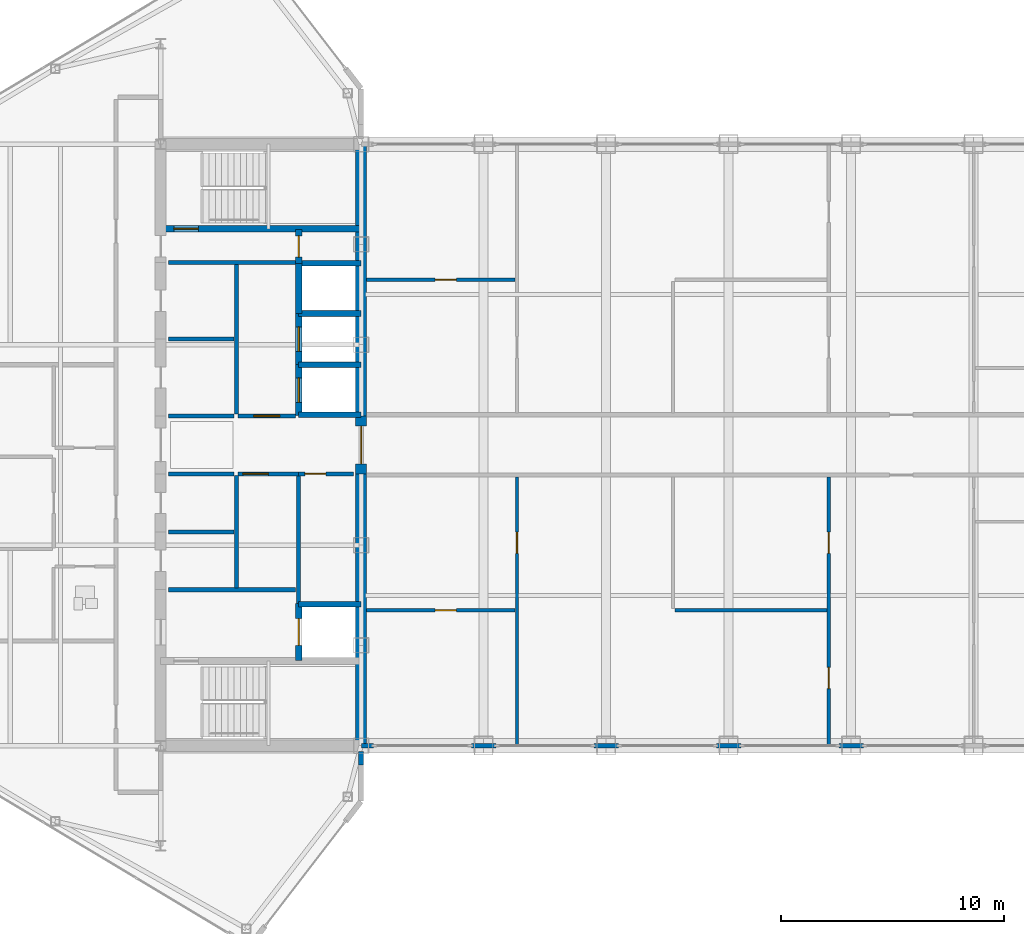
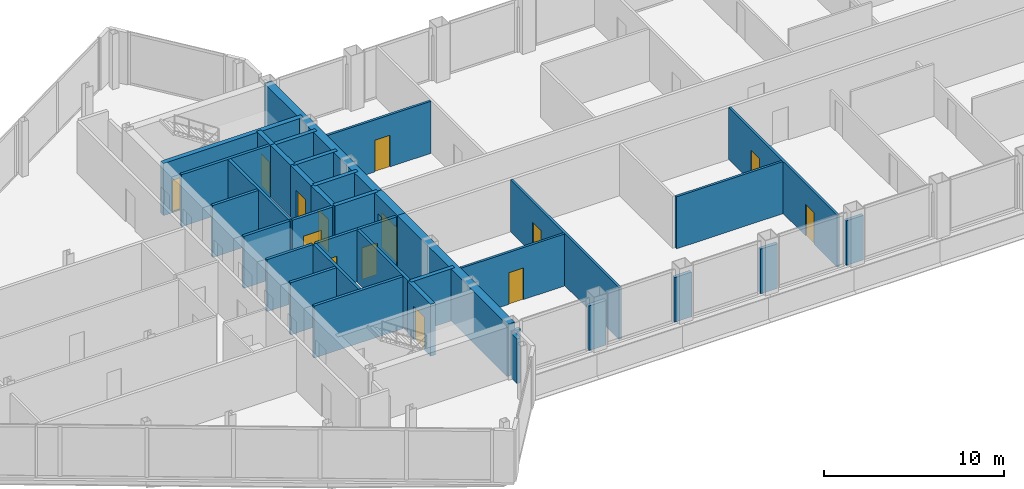
# One storey, part 22 of 29: 37 walls, 14 doors, 14 openings.
"""IFC4 building model written with IfcOpenShell, lengths in metres."""

import ifcopenshell
import ifcopenshell.guid

model = None  # the IFC model being written
_history = None  # IfcOwnerHistory: only IFC2X3 demands one
_inside = {}  # id of a spatial element -> (the spatial element, [elements in it])
_under = {}  # id of a project, library or spatial element -> (it, [spatial elements below it])
_declared = {}  # id of a project -> (the project, [libraries it declares])
_typed = {}  # id of a type object -> (the type object, [elements of that type])
_made_of = {}  # id of a material, layer set ... -> (it, [elements and type objects made of it])


def new_model(schema):
    """Start an empty IFC model of exactly this schema.

    Asked for "IFC4X3", IfcOpenShell would pick the latest addendum, in which some entities
    have other attributes; the version numbers below select the first issue.
    IFC2X3 requires an IfcOwnerHistory on every rooted entity: one is made here for all.
    """
    global model, _history
    if schema == "IFC4X3":
        model = ifcopenshell.file(schema_version=(4, 3, 0, 0))
    else:
        model = ifcopenshell.file(schema=schema)
    _inside.clear()
    _under.clear()
    _declared.clear()
    _typed.clear()
    _made_of.clear()
    _history = None
    if model.schema == "IFC2X3":
        org = make("IfcOrganization", Name="unknown")
        user = make(
            "IfcPersonAndOrganization",
            ThePerson=make("IfcPerson", FamilyName="unknown"),
            TheOrganization=org,
        )
        app = make(
            "IfcApplication",
            ApplicationDeveloper=org,
            Version="unknown",
            ApplicationFullName="unknown",
            ApplicationIdentifier="unknown",
        )
        _history = make(
            "IfcOwnerHistory",
            OwningUser=user,
            OwningApplication=app,
            ChangeAction="ADDED",
            CreationDate=0,
        )
    return model


def make(cls, **values):
    """One entity of the class cls with the attributes given. An attribute that is None is left unset."""
    return model.create_entity(
        cls, **{name: value for name, value in values.items() if value is not None}
    )


def rooted(cls, **values):
    """An entity with a GlobalId (a new one), such as an element, a storey or a relation."""
    return make(cls, GlobalId=ifcopenshell.guid.new(), OwnerHistory=_history, **values)


def si_unit(unit_type, name, prefix=None):
    """IfcSIUnit, for example si_unit("LENGTHUNIT", "METRE", prefix="MILLI")."""
    return make("IfcSIUnit", UnitType=unit_type, Prefix=prefix, Name=name)


def assignment(units):
    """IfcUnitAssignment: the units of a project."""
    return None if units is None else make("IfcUnitAssignment", Units=units)


def point(xyz):
    """IfcCartesianPoint."""
    return None if xyz is None else make("IfcCartesianPoint", Coordinates=xyz)


def direction(xyz):
    """IfcDirection."""
    return None if xyz is None else make("IfcDirection", DirectionRatios=xyz)


def frame(location, z_axis=None, x_axis=None):
    """IfcAxis2Placement3D, a coordinate frame: its origin and axes. An axis left out is left unset."""
    return make(
        "IfcAxis2Placement3D",
        Location=point(location),
        Axis=direction(z_axis),
        RefDirection=direction(x_axis),
    )


def frame_2d(location, x_axis=None):
    """IfcAxis2Placement2D, a coordinate frame in the plane: its origin and x axis."""
    return make(
        "IfcAxis2Placement2D", Location=point(location), RefDirection=direction(x_axis)
    )


def origin():
    """The frame at (0, 0, 0) with its axes left unset."""
    return frame((0.0, 0.0, 0.0))


def place(relative_to, where):
    """IfcLocalPlacement: puts the frame where relative to a parent placement (None: the world)."""
    return make(
        "IfcLocalPlacement", PlacementRelTo=relative_to, RelativePlacement=where
    )


def context(
    kind, dimensions, precision=None, world=None, true_north=None, identifier=None
):
    """IfcGeometricRepresentationContext, for example the 3D "Model" context."""
    return make(
        "IfcGeometricRepresentationContext",
        ContextIdentifier=identifier,
        ContextType=kind,
        CoordinateSpaceDimension=dimensions,
        Precision=precision,
        WorldCoordinateSystem=world,
        TrueNorth=true_north,
    )


def subcontext(parent, identifier, kind, view, scale=None):
    """IfcGeometricRepresentationSubContext, for example "Body" below "Model"."""
    return make(
        "IfcGeometricRepresentationSubContext",
        ContextIdentifier=identifier,
        ContextType=kind,
        ParentContext=parent,
        TargetScale=scale,
        TargetView=view,
    )


def project(units=None, contexts=None):
    """IfcProject with its units and contexts."""
    return rooted(
        "IfcProject",
        Name="project",
        RepresentationContexts=contexts,
        UnitsInContext=assignment(units),
    )


def spatial(cls, under=None, at=None, **own):
    """A site, building, storey or space (cls), placed at a placement, below another one or the project."""
    s = rooted(cls, ObjectPlacement=at, **own)
    if under is not None:
        _under.setdefault(under.id(), (under, []))[1].append(s)
    return s


def profile(cls, at=None, kind="AREA", **sizes):
    """A parametric profile (cls). Its sizes go by their IFC names, for example OverallWidth=200.0."""
    return make(cls, ProfileType=kind, Position=at, **sizes)


def rectangle(**sizes):
    """IfcRectangleProfileDef."""
    return profile("IfcRectangleProfileDef", **sizes)


def extrude(swept, where, along, depth):
    """IfcExtrudedAreaSolid: the profile swept, set in the frame where, extruded along a direction by depth."""
    return make(
        "IfcExtrudedAreaSolid",
        SweptArea=swept,
        Position=where,
        ExtrudedDirection=direction(along),
        Depth=depth,
    )


def shape(context_of_items, identifier, shape_type, items):
    """IfcShapeRepresentation: the items that make up one representation, for example the "Body"."""
    return make(
        "IfcShapeRepresentation",
        ContextOfItems=context_of_items,
        RepresentationIdentifier=identifier,
        RepresentationType=shape_type,
        Items=items,
    )


def source(mapping_origin, context_of_items, identifier, shape_type, items):
    """IfcRepresentationMap: a shape defined once, which mapped items show again and again."""
    return make(
        "IfcRepresentationMap",
        MappingOrigin=mapping_origin,
        MappedRepresentation=shape(context_of_items, identifier, shape_type, items),
    )


def transform(
    local_origin,
    x_axis=None,
    y_axis=None,
    z_axis=None,
    scale=None,
    scale2=None,
    scale3=None,
    uniform=True,
):
    """IfcCartesianTransformationOperator3D, or its non-uniform kind. x_axis, y_axis, z_axis: its Axis1, 2, 3."""
    if uniform:
        return make(
            "IfcCartesianTransformationOperator3D",
            Axis1=direction(x_axis),
            Axis2=direction(y_axis),
            LocalOrigin=point(local_origin),
            Scale=scale,
            Axis3=direction(z_axis),
        )
    return make(
        "IfcCartesianTransformationOperator3DnonUniform",
        Axis1=direction(x_axis),
        Axis2=direction(y_axis),
        LocalOrigin=point(local_origin),
        Scale=scale,
        Axis3=direction(z_axis),
        Scale2=scale2,
        Scale3=scale3,
    )


def mapped(mapping_source, mapping_target):
    """IfcMappedItem: shows the shape of a source again, moved by a transform."""
    return make(
        "IfcMappedItem", MappingSource=mapping_source, MappingTarget=mapping_target
    )


def material(Name=None, Category=None):
    """IfcMaterial."""
    return make("IfcMaterial", Name=Name, Category=Category)


def layer(
    of_material, thickness, ventilated=None, Name=None, Category=None, Priority=None
):
    """IfcMaterialLayer: one layer of a wall or slab, of a material (None: an air gap)."""
    return make(
        "IfcMaterialLayer",
        Material=of_material,
        LayerThickness=thickness,
        IsVentilated=ventilated,
        Name=Name,
        Category=Category,
        Priority=Priority,
    )


def layer_set(layers, Name=None):
    """IfcMaterialLayerSet."""
    return make("IfcMaterialLayerSet", MaterialLayers=layers, LayerSetName=Name)


def made_of(thing, what):
    """Note that an element or type object is made of a material, layer set ...; save() writes the relation."""
    if what is not None:
        _made_of.setdefault(what.id(), (what, []))[1].append(thing)
    return thing


def type_object(cls, material=None, **own):
    """A type object (cls), such as IfcWallType, which elements share."""
    return made_of(rooted(cls, **own), material)


def type_shapes(of_type, sources):
    """Give a type object the sources (RepresentationMaps) that its elements show as mapped items."""
    of_type.RepresentationMaps = sources


def element(
    cls,
    number,
    at=None,
    inside=None,
    cuts=None,
    type_object=None,
    material=None,
    context=None,
    identifier="Body",
    shape_type=None,
    held_by="IfcProductDefinitionShape",
    body=None,
    shapes=None,
    **own,
):
    """One element of the class cls, such as IfcWall. Its Tag is "e" and its number.

    at: its placement. inside: the storey or other place that contains it. cuts: it is an
    opening in that element (IfcRelVoidsElement). A single representation is given by context,
    identifier, shape_type and body (its items); several are given by shapes. held_by: the class
    of the entity that holds the representations. save() writes the other relations.
    """
    e = rooted(cls, Tag="e%d" % number, ObjectPlacement=at, **own)
    if body is not None:
        shapes = [shape(context, identifier, shape_type, body)]
    if shapes is not None:
        e.Representation = make(held_by, Representations=shapes)
    if inside is not None:
        _inside.setdefault(inside.id(), (inside, []))[1].append(e)
    if cuts is not None:
        rooted(
            "IfcRelVoidsElement", RelatingBuildingElement=cuts, RelatedOpeningElement=e
        )
    if type_object is not None:
        _typed.setdefault(type_object.id(), (type_object, []))[1].append(e)
    return made_of(e, material)


def fill(opening, filler):
    """IfcRelFillsElement: the door or window that sits in an opening."""
    return rooted(
        "IfcRelFillsElement",
        RelatingOpeningElement=opening,
        RelatedBuildingElement=filler,
    )


def aggregate(whole, parts):
    """IfcRelAggregates: a whole, such as a stair, and the parts it consists of."""
    return rooted("IfcRelAggregates", RelatingObject=whole, RelatedObjects=parts)


def save(model, path):
    """Write the relations noted so far, then the file.

    IfcRelAggregates (storeys below a building ...), IfcRelContainedInSpatialStructure (elements
    in a storey), IfcRelDefinesByType, IfcRelAssociatesMaterial and IfcRelDeclares: one each for
    every whole, place, type object, material and project.
    """
    for whole, parts in _under.values():
        aggregate(whole, parts)
    for where, things in _inside.values():
        rooted(
            "IfcRelContainedInSpatialStructure",
            RelatedElements=things,
            RelatingStructure=where,
        )
    for kind, things in _typed.values():
        rooted("IfcRelDefinesByType", RelatedObjects=things, RelatingType=kind)
    for what, things in _made_of.values():
        rooted("IfcRelAssociatesMaterial", RelatedObjects=things, RelatingMaterial=what)
    for by, libraries in _declared.values():
        rooted("IfcRelDeclares", RelatingContext=by, RelatedDefinitions=libraries)
    model.write(path)


model = new_model("IFC4")

# Units and contexts
model_context = context("Model", 3, precision=1e-05, world=origin(), true_north=direction((0.0, 1.0)))
body_context = subcontext(model_context, "Body", "Model", "MODEL_VIEW")
ifc_project = project(units=[si_unit("LENGTHUNIT", "METRE"), si_unit("AREAUNIT", "SQUARE_METRE"), si_unit("VOLUMEUNIT", "CUBIC_METRE"), si_unit("PLANEANGLEUNIT", "RADIAN"), si_unit("MASSUNIT", "GRAM", prefix="KILO")], contexts=[model_context])

# Site, building, storey
site_placement = place(None, origin())
site = spatial("IfcSite", under=ifc_project, at=site_placement, CompositionType="ELEMENT")
building_placement = place(site_placement, origin())
building = spatial("IfcBuilding", under=site, at=building_placement, Name="Seokmaru Belvedere", CompositionType="ELEMENT")
storey_placement = place(building_placement, frame((0.0, 0.0, 239.39990234375)))
storey = spatial("IfcBuildingStorey", under=building, at=storey_placement, Name="L63", CompositionType="ELEMENT", Elevation=239.39990234375)

# Wall, opening, door
ifc_material_1 = material(Name="Fire-Rated Gypsum Shaftwall")
ifc_layer_1 = layer(ifc_material_1, 0.14990234375)
ifc_layer_set_1 = layer_set([ifc_layer_1], Name="Fire-Rated Gypsum Shaftwall")
wall_type_1 = type_object("IfcWallType", Name="Apartment Fire-Acoustic Room Partition 150", PredefinedType="PARTITIONING", material=ifc_layer_set_1)
wall_1_placement = place(storey_placement, frame((-27.2451171875, -7.419921875, 0.0), z_axis=(0.0, 0.0, 1.0), x_axis=(1.0, 0.0, 0.0)))
wall_1 = element("IfcWall", 1, at=wall_1_placement, inside=storey, type_object=wall_type_1, Name="L63 Interior Partition 004", PredefinedType="PARTITIONING", context=body_context, shape_type="SweptSolid", body=[
    extrude(rectangle(XDim=6.66015625, YDim=0.14990234375, at=frame_2d((3.330078125, 0.0))), origin(), (0.0, 0.0, 1.0), 3.530029296875),
])
opening_1_placement = place(wall_1_placement, frame((3.070068359375, 0.0, 0.0)))
opening_1 = element("IfcOpeningElement", 2, at=opening_1_placement, cuts=wall_1, Name="Opening D05", PredefinedType="OPENING", context=body_context, shape_type="SweptSolid", body=[
    extrude(rectangle(XDim=0.949951171875, YDim=2.14990234375, at=frame_2d((0.47509765625, 1.074951171875))), frame((0.0, 0.0849609375, 0.0), z_axis=(0.0, -1.0, 0.0), x_axis=(1.0, 0.0, 0.0)), (0.0, 0.0, 1.0), 0.169921875),
])
ifc_material_2 = material(Name="Engineered White Oak Timber", Category="wood")
door_type_1 = type_object("IfcDoorType", Name="Apartment Interior Fire-Rated Oak Door 950x2150", OperationType="NOTDEFINED", PredefinedType="DOOR", material=ifc_material_2)
shared_shape_1 = source(origin(), body_context, "Body", "SweptSolid", [
    extrude(rectangle(XDim=0.949951171875, YDim=2.14990234375, at=frame_2d((0.47509765625, 1.074951171875))), frame((0.0, 0.02490234375, 0.0), z_axis=(0.0, -1.0, 0.0), x_axis=(1.0, 0.0, 0.0)), (0.0, 0.0, 1.0), 0.050048828125),
])
type_shapes(door_type_1, [shared_shape_1])
door_1_placement = place(opening_1_placement, origin())
door_1 = element("IfcDoor", 3, at=door_1_placement, inside=storey, type_object=door_type_1, Name="L63 Interior Door 029", OperationType="SINGLE_SWING_RIGHT", OverallHeight=2.14990234375, OverallWidth=0.949951171875, PredefinedType="DOOR", context=body_context, shape_type="MappedRepresentation", body=[
    mapped(shared_shape_1, transform((0.0, 0.0, 0.0), scale=1.0)),
])
fill(opening_1, door_1)

# Wall
wall_2_placement = place(storey_placement, frame((-13.4150390625, -7.419921875, 0.0), z_axis=(0.0, 0.0, 1.0), x_axis=(1.0, 0.0, 0.0)))
element("IfcWall", 4, at=wall_2_placement, inside=storey, type_object=wall_type_1, Name="L63 Interior Partition 005", PredefinedType="PARTITIONING", context=body_context, shape_type="SweptSolid", body=[
    extrude(rectangle(XDim=6.830078125, YDim=0.14990234375, at=frame_2d((3.4150390625, 0.0))), origin(), (0.0, 0.0, 1.0), 3.530029296875),
])

# Wall, opening, door
wall_3_placement = place(storey_placement, frame((-27.2451171875, 7.419921875, 0.0), z_axis=(0.0, 0.0, 1.0), x_axis=(1.0, 0.0, 0.0)))
wall_3 = element("IfcWall", 5, at=wall_3_placement, inside=storey, type_object=wall_type_1, Name="L63 Interior Partition 022", PredefinedType="PARTITIONING", context=body_context, shape_type="SweptSolid", body=[
    extrude(rectangle(XDim=6.66015625, YDim=0.14990234375, at=frame_2d((3.330078125, 0.0))), origin(), (0.0, 0.0, 1.0), 3.530029296875),
])
opening_2_placement = place(wall_3_placement, frame((3.070068359375, 0.0, 0.0)))
opening_2 = element("IfcOpeningElement", 6, at=opening_2_placement, cuts=wall_3, Name="Opening D05", PredefinedType="OPENING", context=body_context, shape_type="SweptSolid", body=[
    extrude(rectangle(XDim=0.949951171875, YDim=2.14990234375, at=frame_2d((0.47509765625, 1.074951171875))), frame((0.0, 0.0849609375, 0.0), z_axis=(0.0, -1.0, 0.0), x_axis=(1.0, 0.0, 0.0)), (0.0, 0.0, 1.0), 0.169921875),
])
door_2_placement = place(opening_2_placement, origin())
door_2 = element("IfcDoor", 7, at=door_2_placement, inside=storey, type_object=door_type_1, Name="L63 Interior Door 040", OperationType="SINGLE_SWING_RIGHT", OverallHeight=2.14990234375, OverallWidth=0.949951171875, PredefinedType="DOOR", context=body_context, shape_type="MappedRepresentation", body=[
    mapped(shared_shape_1, transform((0.0, 0.0, 0.0), scale=1.0)),
])
fill(opening_2, door_2)

wall_4_placement = place(storey_placement, frame((-20.5, -13.5, 0.0), z_axis=(0.0, 0.0, 1.0), x_axis=(0.0, 1.0, 0.0)))
wall_4 = element("IfcWall", 8, at=wall_4_placement, inside=storey, type_object=wall_type_1, Name="L63 Interior Partition 034", PredefinedType="PARTITIONING", context=body_context, shape_type="SweptSolid", body=[
    extrude(rectangle(XDim=12.06494140625, YDim=0.14990234375, at=frame_2d((6.032470703125, 0.0))), origin(), (0.0, 0.0, 1.0), 3.530029296875),
])
opening_3_placement = place(wall_4_placement, frame((8.637451171875, 0.0, 0.0)))
opening_3 = element("IfcOpeningElement", 9, at=opening_3_placement, cuts=wall_4, Name="Opening D05", PredefinedType="OPENING", context=body_context, shape_type="SweptSolid", body=[
    extrude(rectangle(XDim=0.949951171875, YDim=2.14990234375, at=frame_2d((0.47509765625, 1.074951171875))), frame((0.0, 0.0849609375, 0.0), z_axis=(0.0, -1.0, 0.0), x_axis=(1.0, 0.0, 0.0)), (0.0, 0.0, 1.0), 0.169921875),
])
door_3_placement = place(opening_3_placement, origin())
door_3 = element("IfcDoor", 10, at=door_3_placement, inside=storey, type_object=door_type_1, Name="L63 Interior Door 028", OperationType="SINGLE_SWING_LEFT", OverallHeight=2.14990234375, OverallWidth=0.949951171875, PredefinedType="DOOR", context=body_context, shape_type="MappedRepresentation", body=[
    mapped(shared_shape_1, transform((0.0, 0.0, 0.0), scale=1.0)),
])
fill(opening_3, door_3)

# Wall, openings, doors
wall_5_placement = place(storey_placement, frame((-6.5, -13.5, 0.0), z_axis=(0.0, 0.0, 1.0), x_axis=(0.0, 1.0, 0.0)))
wall_5 = element("IfcWall", 11, at=wall_5_placement, inside=storey, type_object=wall_type_1, Name="L63 Interior Partition 038", PredefinedType="PARTITIONING", context=body_context, shape_type="SweptSolid", body=[
    extrude(rectangle(XDim=12.06494140625, YDim=0.14990234375, at=frame_2d((6.032470703125, 0.0))), origin(), (0.0, 0.0, 1.0), 3.530029296875),
])
opening_4_placement = place(wall_5_placement, frame((8.637451171875, 0.0, 0.0)))
opening_4 = element("IfcOpeningElement", 12, at=opening_4_placement, cuts=wall_5, Name="Opening D05", PredefinedType="OPENING", context=body_context, shape_type="SweptSolid", body=[
    extrude(rectangle(XDim=0.949951171875, YDim=2.14990234375, at=frame_2d((0.47509765625, 1.074951171875))), frame((0.0, 0.0849609375, 0.0), z_axis=(0.0, -1.0, 0.0), x_axis=(1.0, 0.0, 0.0)), (0.0, 0.0, 1.0), 0.169921875),
])
opening_5_placement = place(wall_5_placement, frame((2.5625, 0.0, 0.0)))
opening_5 = element("IfcOpeningElement", 13, at=opening_5_placement, cuts=wall_5, Name="Opening D05", PredefinedType="OPENING", context=body_context, shape_type="SweptSolid", body=[
    extrude(rectangle(XDim=0.949951171875, YDim=2.14990234375, at=frame_2d((0.47509765625, 1.074951171875))), frame((0.0, 0.0849609375, 0.0), z_axis=(0.0, -1.0, 0.0), x_axis=(1.0, 0.0, 0.0)), (0.0, 0.0, 1.0), 0.169921875),
])
door_4_placement = place(opening_4_placement, origin())
door_4 = element("IfcDoor", 14, at=door_4_placement, inside=storey, type_object=door_type_1, Name="L63 Interior Door 026", OperationType="SINGLE_SWING_LEFT", OverallHeight=2.14990234375, OverallWidth=0.949951171875, PredefinedType="DOOR", context=body_context, shape_type="MappedRepresentation", body=[
    mapped(shared_shape_1, transform((0.0, 0.0, 0.0), scale=1.0)),
])
fill(opening_4, door_4)
door_5_placement = place(opening_5_placement, origin())
door_5 = element("IfcDoor", 15, at=door_5_placement, inside=storey, type_object=door_type_1, Name="L63 Interior Door 027", OperationType="SINGLE_SWING_RIGHT", OverallHeight=2.14990234375, OverallWidth=0.949951171875, PredefinedType="DOOR", context=body_context, shape_type="MappedRepresentation", body=[
    mapped(shared_shape_1, transform((0.0, 0.0, 0.0), scale=1.0)),
])
fill(opening_5, door_5)

# Walls
ifc_material_3 = material(Name="Anodised Bronze Aluminium", Category="aluminium")
ifc_layer_2 = layer(ifc_material_3, 0.2099609375)
ifc_layer_set_2 = layer_set([ifc_layer_2], Name="Anodised Bronze Aluminium")
wall_type_2 = type_object("IfcWallType", Name="Bridge Column Spandrel Closure Pier 210", PredefinedType="SOLIDWALL", material=ifc_layer_set_2)
wall_6_placement = place(storey_placement, frame((-27.489990234375, -13.5, 0.0), z_axis=(0.0, 0.0, 1.0), x_axis=(1.0, 0.0, 0.0)))
element("IfcWall", 16, at=wall_6_placement, inside=storey, type_object=wall_type_2, Name="L63 Bridge South Column Closure Pier 01", PredefinedType="SOLIDWALL", context=body_context, shape_type="SweptSolid", body=[
    extrude(rectangle(XDim=0.5400390625, YDim=0.2099609375, at=frame_2d((0.27001953125, 0.0))), origin(), (0.0, 0.0, 1.0), 3.030029296875),
])
for number, where, z_axis, x_axis, name in (
    (17, (-22.550048828125, -13.5, 0.0), (0.0, 0.0, 1.0), (1.0, 0.0, 0.0), "L63 Bridge South Column Closure Pier 02"),
    (18, (-17.050048828125, -13.5, 0.0), (0.0, 0.0, 1.0), (1.0, 0.0, 0.0), "L63 Bridge South Column Closure Pier 03"),
    (19, (-11.550048828125, -13.5, 0.0), (0.0, 0.0, 1.0), (1.0, 0.0, 0.0), "L63 Bridge South Column Closure Pier 04"),
    (20, (-6.050048828125, -13.5, 0.0), (0.0, 0.0, 1.0), (1.0, 0.0, 0.0), "L63 Bridge South Column Closure Pier 05"),
):
    element("IfcWall", number, at=place(storey_placement, frame(where, z_axis=z_axis, x_axis=x_axis)), inside=storey, type_object=wall_type_2, Name=name, PredefinedType="SOLIDWALL", context=body_context, shape_type="SweptSolid", body=[
        extrude(rectangle(XDim=1.10009765625, YDim=0.2099609375, at=frame_2d((0.550048828125, 0.0))), origin(), (0.0, 0.0, 1.0), 3.030029296875),
    ])
ifc_layer_3 = layer(ifc_material_1, 0.179931640625)
ifc_layer_set_3 = layer_set([ifc_layer_3], Name="Fire-Rated Gypsum Shaftwall")
wall_type_3 = type_object("IfcWallType", Name="Core Service Fire Partition 180", PredefinedType="PARTITIONING", material=ifc_layer_set_3)
for number, where, z_axis, x_axis, name in (
    (21, (-36.14990234375, -6.5, 0.0), (0.0, 0.0, 1.0), (1.0, 0.0, 0.0), "L63 West Firefighting Lobby Partition"),
    (22, (-36.14990234375, 8.199951171875, 0.0), (0.0, 0.0, 1.0), (1.0, 0.0, 0.0), "L63 West Smokeproof Vestibule Partition"),
):
    element("IfcWall", number, at=place(storey_placement, frame(where, z_axis=z_axis, x_axis=x_axis)), inside=storey, type_object=wall_type_3, Name=name, PredefinedType="PARTITIONING", context=body_context, shape_type="SweptSolid", body=[
        extrude(rectangle(XDim=5.699951171875, YDim=0.179931640625, at=frame_2d((2.85009765625, 0.0))), origin(), (0.0, 0.0, 1.0), 3.530029296875),
    ])
wall_7_placement = place(storey_placement, frame((-33.10009765625, -6.419921875, 0.0), z_axis=(0.0, 0.0, 1.0), x_axis=(0.0, 1.0, 0.0)))
element("IfcWall", 23, at=wall_7_placement, inside=storey, type_object=wall_type_3, Name="L63 West South Core Service Back Wall", PredefinedType="PARTITIONING", context=body_context, shape_type="SweptSolid", body=[
    extrude(rectangle(XDim=5.0400390625, YDim=0.179931640625, at=frame_2d((2.52001953125, 0.0))), origin(), (0.0, 0.0, 1.0), 3.530029296875),
])
wall_8_placement = place(storey_placement, frame((-33.10009765625, 1.3798828125, 0.0), z_axis=(0.0, 0.0, 1.0), x_axis=(0.0, 1.0, 0.0)))
element("IfcWall", 24, at=wall_8_placement, inside=storey, type_object=wall_type_3, Name="L63 West North Core Service Back Wall", PredefinedType="PARTITIONING", context=body_context, shape_type="SweptSolid", body=[
    extrude(rectangle(XDim=6.740234375, YDim=0.179931640625, at=frame_2d((3.3701171875, 0.0))), origin(), (0.0, 0.0, 1.0), 3.530029296875),
])

# Wall, opening, door
wall_9_placement = place(storey_placement, frame((-30.300048828125, -1.300048828125, 0.0), z_axis=(0.0, 0.0, 1.0), x_axis=(1.0, 0.0, 0.0)))
wall_9 = element("IfcWall", 25, at=wall_9_placement, inside=storey, type_object=wall_type_3, Name="L63 West South Parcel Vault Foyer Wall", PredefinedType="PARTITIONING", context=body_context, shape_type="SweptSolid", body=[
    extrude(rectangle(XDim=2.449951171875, YDim=0.179931640625, at=frame_2d((1.22509765625, 0.0))), origin(), (0.0, 0.0, 1.0), 3.530029296875),
])
opening_6_placement = place(wall_9_placement, frame((0.27490234375, 0.0, 0.0)))
opening_6 = element("IfcOpeningElement", 26, at=opening_6_placement, cuts=wall_9, Name="Opening D04", PredefinedType="OPENING", context=body_context, shape_type="SweptSolid", body=[
    extrude(rectangle(XDim=0.949951171875, YDim=2.14990234375, at=frame_2d((0.47509765625, 1.074951171875))), frame((0.0, 0.10009765625, 0.0), z_axis=(0.0, -1.0, 0.0), x_axis=(1.0, 0.0, 0.0)), (0.0, 0.0, 1.0), 0.199951171875),
])
ifc_material_4 = material(Name="Fire-Rated Steel Leaf", Category="steel")
door_type_2 = type_object("IfcDoorType", Name="Core Service Room Fire Door 950x2150", OperationType="NOTDEFINED", PredefinedType="DOOR", material=ifc_material_4)
shared_shape_2 = source(origin(), body_context, "Body", "SweptSolid", [
    extrude(rectangle(XDim=0.949951171875, YDim=2.14990234375, at=frame_2d((0.47509765625, 1.074951171875))), frame((0.0, 0.02490234375, 0.0), z_axis=(0.0, -1.0, 0.0), x_axis=(1.0, 0.0, 0.0)), (0.0, 0.0, 1.0), 0.050048828125),
])
type_shapes(door_type_2, [shared_shape_2])
door_6_placement = place(opening_6_placement, origin())
door_6 = element("IfcDoor", 27, at=door_6_placement, inside=storey, type_object=door_type_2, Name="L63 West South Parcel Vault Door", OperationType="SINGLE_SWING_LEFT", OverallHeight=2.14990234375, OverallWidth=0.949951171875, PredefinedType="DOOR", context=body_context, shape_type="MappedRepresentation", body=[
    mapped(shared_shape_2, transform((0.0, 0.0, 0.0), scale=1.0)),
])
fill(opening_6, door_6)

wall_10_placement = place(storey_placement, frame((-33.02001953125, -1.300048828125, 0.0), z_axis=(0.0, 0.0, 1.0), x_axis=(1.0, 0.0, 0.0)))
wall_10 = element("IfcWall", 28, at=wall_10_placement, inside=storey, type_object=wall_type_3, Name="L63 West South Wine Cellar Foyer Wall", PredefinedType="PARTITIONING", context=body_context, shape_type="SweptSolid", body=[
    extrude(rectangle(XDim=2.719970703125, YDim=0.179931640625, at=frame_2d((1.35986328125, 0.0))), origin(), (0.0, 0.0, 1.0), 3.530029296875),
])
opening_7_placement = place(wall_10_placement, frame((0.2099609375, 0.0, 0.0)))
opening_7 = element("IfcOpeningElement", 29, at=opening_7_placement, cuts=wall_10, Name="Opening D02", PredefinedType="OPENING", context=body_context, shape_type="SweptSolid", body=[
    extrude(rectangle(XDim=1.14990234375, YDim=2.199951171875, at=frame_2d((0.574951171875, 1.10009765625))), frame((0.0, 0.10009765625, 0.0), z_axis=(0.0, -1.0, 0.0), x_axis=(1.0, 0.0, 0.0)), (0.0, 0.0, 1.0), 0.199951171875),
])
door_type_3 = type_object("IfcDoorType", Name="Lobby and Vestibule Fire Door 1150x2200", OperationType="NOTDEFINED", PredefinedType="DOOR", material=ifc_material_4)
shared_shape_3 = source(origin(), body_context, "Body", "SweptSolid", [
    extrude(rectangle(XDim=1.14990234375, YDim=2.199951171875, at=frame_2d((0.574951171875, 1.10009765625))), frame((0.0, 0.02490234375, 0.0), z_axis=(0.0, -1.0, 0.0), x_axis=(1.0, 0.0, 0.0)), (0.0, 0.0, 1.0), 0.050048828125),
])
type_shapes(door_type_3, [shared_shape_3])
door_7_placement = place(opening_7_placement, origin())
door_7 = element("IfcDoor", 30, at=door_7_placement, inside=storey, type_object=door_type_3, Name="L63 West South Core Foyer Door", OperationType="SINGLE_SWING_LEFT", OverallHeight=2.199951171875, OverallWidth=1.14990234375, PredefinedType="DOOR", context=body_context, shape_type="MappedRepresentation", body=[
    mapped(shared_shape_3, transform((0.0, 0.0, 0.0), scale=1.0)),
])
fill(opening_7, door_7)

# Wall
wall_11_placement = place(storey_placement, frame((-30.300048828125, -7.1201171875, 0.0), z_axis=(0.0, 0.0, 1.0), x_axis=(0.0, 1.0, 0.0)))
element("IfcWall", 31, at=wall_11_placement, inside=storey, type_object=wall_type_3, Name="L63 West Freed Shaft Vault Partition", PredefinedType="PARTITIONING", context=body_context, shape_type="SweptSolid", body=[
    extrude(rectangle(XDim=5.740234375, YDim=0.179931640625, at=frame_2d((2.8701171875, 0.0))), origin(), (0.0, 0.0, 1.0), 3.530029296875),
])

# Wall, opening, door
wall_12_placement = place(storey_placement, frame((-33.02001953125, 1.300048828125, 0.0), z_axis=(0.0, 0.0, 1.0), x_axis=(1.0, 0.0, 0.0)))
wall_12 = element("IfcWall", 32, at=wall_12_placement, inside=storey, type_object=wall_type_3, Name="L63 West North Lift Lobby Foyer Wall", PredefinedType="PARTITIONING", context=body_context, shape_type="SweptSolid", body=[
    extrude(rectangle(XDim=2.570068359375, YDim=0.179931640625, at=frame_2d((1.28515625, 0.0))), origin(), (0.0, 0.0, 1.0), 3.530029296875),
])
opening_8_placement = place(wall_12_placement, frame((0.7099609375, 0.0, 0.0)))
opening_8 = element("IfcOpeningElement", 33, at=opening_8_placement, cuts=wall_12, Name="Opening D02", PredefinedType="OPENING", context=body_context, shape_type="SweptSolid", body=[
    extrude(rectangle(XDim=1.14990234375, YDim=2.199951171875, at=frame_2d((0.574951171875, 1.10009765625))), frame((0.0, 0.10009765625, 0.0), z_axis=(0.0, -1.0, 0.0), x_axis=(1.0, 0.0, 0.0)), (0.0, 0.0, 1.0), 0.199951171875),
])
door_8_placement = place(opening_8_placement, origin())
door_8 = element("IfcDoor", 34, at=door_8_placement, inside=storey, type_object=door_type_3, Name="L63 West North Lift Lobby Door", OperationType="SINGLE_SWING_RIGHT", OverallHeight=2.199951171875, OverallWidth=1.14990234375, PredefinedType="DOOR", context=body_context, shape_type="MappedRepresentation", body=[
    mapped(shared_shape_3, transform((0.0, 0.0, 0.0), scale=1.0)),
])
fill(opening_8, door_8)

# Walls
for number, where, z_axis, x_axis, name in (
    (35, (-36.14990234375, -1.300048828125, 0.0), (0.0, 0.0, 1.0), (1.0, 0.0, 0.0), "L63 West Foyer Side Wall S"),
    (36, (-36.14990234375, 1.300048828125, 0.0), (0.0, 0.0, 1.0), (1.0, 0.0, 0.0), "L63 West Foyer Side Wall N"),
    (37, (-36.14990234375, -3.89990234375, 0.0), (0.0, 0.0, 1.0), (1.0, 0.0, 0.0), "L63 West Core Service Partition 1"),
    (38, (-36.14990234375, 4.75, 0.0), (0.0, 0.0, 1.0), (1.0, 0.0, 0.0), "L63 West Core Service Partition 2"),
):
    element("IfcWall", number, at=place(storey_placement, frame(where, z_axis=z_axis, x_axis=x_axis)), inside=storey, type_object=wall_type_3, Name=name, PredefinedType="PARTITIONING", context=body_context, shape_type="SweptSolid", body=[
        extrude(rectangle(XDim=2.949951171875, YDim=0.179931640625, at=frame_2d((1.47509765625, 0.0))), origin(), (0.0, 0.0, 1.0), 3.530029296875),
    ])
ifc_material_5 = material(Name="Concrete C50 (50 MPa)", Category="concrete")
ifc_layer_4 = layer(ifc_material_5, 0.25)
ifc_layer_set_4 = layer_set([ifc_layer_4], Name="Concrete C50 (50 MPa)")
wall_type_4 = type_object("IfcWallType", Name="Hoistway Transverse Concrete Divider Wall 250", PredefinedType="SHEAR", material=ifc_layer_set_4)
for number, where, z_axis, x_axis, name in (
    (39, (-30.300048828125, -7.14990234375, 0.0), (0.0, 0.0, 1.0), (1.0, 0.0, 0.0), "L63 West Hoistway Divider Core Wall 1"),
    (40, (-30.300048828125, 1.35009765625, 0.0), (0.0, 0.0, 1.0), (1.0, 0.0, 0.0), "L63 West Hoistway Divider Core Wall 2"),
    (41, (-30.300048828125, 3.60009765625, 0.0), (0.0, 0.0, 1.0), (1.0, 0.0, 0.0), "L63 West Hoistway Divider Core Wall 3"),
    (42, (-30.300048828125, 5.89990234375, 0.0), (0.0, 0.0, 1.0), (1.0, 0.0, 0.0), "L63 West Hoistway Divider Core Wall 4"),
    (43, (-30.300048828125, 8.14990234375, 0.0), (0.0, 0.0, 1.0), (1.0, 0.0, 0.0), "L63 West Hoistway Divider Core Wall 5"),
):
    element("IfcWall", number, at=place(storey_placement, frame(where, z_axis=z_axis, x_axis=x_axis)), inside=storey, type_object=wall_type_4, Name=name, PredefinedType="SHEAR", context=body_context, shape_type="SweptSolid", body=[
        extrude(rectangle(XDim=2.800048828125, YDim=0.25, at=frame_2d((1.39990234375, 0.0))), origin(), (0.0, 0.0, 1.0), 3.530029296875),
    ])

# Wall, opening, door
ifc_layer_5 = layer(ifc_material_5, 0.300048828125)
ifc_layer_set_5 = layer_set([ifc_layer_5], Name="Concrete C50 (50 MPa)")
wall_type_5 = type_object("IfcWallType", Name="Internal Core Stair and Hoistway Wall 300", PredefinedType="SHEAR", material=ifc_layer_set_5)
wall_13_placement = place(storey_placement, frame((-36.5, 9.699951171875, 0.0), z_axis=(0.0, 0.0, 1.0), x_axis=(1.0, 0.0, 0.0)))
wall_13 = element("IfcWall", 44, at=wall_13_placement, inside=storey, type_object=wall_type_5, Name="L63 West Stair ST-2 Enclosure Wall", PredefinedType="SHEAR", context=body_context, shape_type="SweptSolid", body=[
    extrude(rectangle(XDim=9.0, YDim=0.300048828125, at=frame_2d((4.5, 0.0))), origin(), (0.0, 0.0, 1.0), 3.530029296875),
])
opening_9_placement = place(wall_13_placement, frame((0.60009765625, 0.0, 0.0)))
opening_9 = element("IfcOpeningElement", 45, at=opening_9_placement, cuts=wall_13, Name="Opening D01", PredefinedType="OPENING", context=body_context, shape_type="SweptSolid", body=[
    extrude(rectangle(XDim=1.10009765625, YDim=2.199951171875, at=frame_2d((0.550048828125, 1.10009765625))), frame((0.0, 0.16015625, 0.0), z_axis=(0.0, -1.0, 0.0), x_axis=(1.0, 0.0, 0.0)), (0.0, 0.0, 1.0), 0.320068359375),
])
door_type_4 = type_object("IfcDoorType", Name="Special Escape Stair Smokeproof Fire Door 1100x2200", OperationType="NOTDEFINED", PredefinedType="DOOR", material=ifc_material_4)
shared_shape_4 = source(origin(), body_context, "Body", "SweptSolid", [
    extrude(rectangle(XDim=1.10009765625, YDim=2.199951171875, at=frame_2d((0.550048828125, 1.10009765625))), frame((0.0, 0.02490234375, 0.0), z_axis=(0.0, -1.0, 0.0), x_axis=(1.0, 0.0, 0.0)), (0.0, 0.0, 1.0), 0.050048828125),
])
type_shapes(door_type_4, [shared_shape_4])
door_9_placement = place(opening_9_placement, origin())
door_9 = element("IfcDoor", 46, at=door_9_placement, inside=storey, type_object=door_type_4, Name="L63 West Special Escape Stair ST-2 Door", OperationType="SINGLE_SWING_RIGHT", OverallHeight=2.199951171875, OverallWidth=1.10009765625, PredefinedType="DOOR", context=body_context, shape_type="MappedRepresentation", body=[
    mapped(shared_shape_4, transform((0.0, 0.0, 0.0), scale=1.0)),
])
fill(opening_9, door_9)

wall_14_placement = place(storey_placement, frame((-30.300048828125, -9.679931640625, 0.0), z_axis=(0.0, 0.0, 1.0), x_axis=(0.0, 1.0, 0.0)))
wall_14 = element("IfcWall", 47, at=wall_14_placement, inside=storey, type_object=wall_type_5, Name="L63 West Firefighting Lift Shaft Front Wall", PredefinedType="SHEAR", context=body_context, shape_type="SweptSolid", body=[
    extrude(rectangle(XDim=2.559814453125, YDim=0.300048828125, at=frame_2d((1.27978515625, 0.0))), origin(), (0.0, 0.0, 1.0), 3.530029296875),
])
opening_10_placement = place(wall_14_placement, frame((0.679931640625, 0.0, 0.0)))
opening_10 = element("IfcOpeningElement", 48, at=opening_10_placement, cuts=wall_14, Name="Opening LD2", PredefinedType="OPENING", context=body_context, shape_type="SweptSolid", body=[
    extrude(rectangle(XDim=1.199951171875, YDim=2.25, at=frame_2d((0.60009765625, 1.125))), frame((0.0, 0.16015625, 0.0), z_axis=(0.0, -1.0, 0.0), x_axis=(1.0, 0.0, 0.0)), (0.0, 0.0, 1.0), 0.320068359375),
])
ifc_material_6 = material(Name="Stainless Steel 316", Category="steel")
door_type_5 = type_object("IfcDoorType", Name="Firefighting Lift Sliding Landing Door 1200x2250", OperationType="DOUBLE_DOOR_SLIDING", PredefinedType="DOOR", material=ifc_material_6)
shared_shape_5 = source(origin(), body_context, "Body", "SweptSolid", [
    extrude(rectangle(XDim=1.199951171875, YDim=2.25, at=frame_2d((0.60009765625, 1.125))), frame((0.0, 0.02490234375, 0.0), z_axis=(0.0, -1.0, 0.0), x_axis=(1.0, 0.0, 0.0)), (0.0, 0.0, 1.0), 0.050048828125),
])
type_shapes(door_type_5, [shared_shape_5])
door_10_placement = place(opening_10_placement, origin())
door_10 = element("IfcDoor", 49, at=door_10_placement, inside=storey, type_object=door_type_5, Name="L63 West Firefighting Lift Landing Door", OperationType="DOUBLE_DOOR_SLIDING", OverallHeight=2.25, OverallWidth=1.199951171875, PredefinedType="DOOR", context=body_context, shape_type="MappedRepresentation", body=[
    mapped(shared_shape_5, transform((0.0, 0.0, 0.0), scale=1.0)),
])
fill(opening_10, door_10)

wall_15_placement = place(storey_placement, frame((-30.300048828125, 1.320068359375, 0.0), z_axis=(0.0, 0.0, 1.0), x_axis=(0.0, 1.0, 0.0)))
wall_15 = element("IfcWall", 50, at=wall_15_placement, inside=storey, type_object=wall_type_5, Name="L63 West North Hoistway Wall PH1", PredefinedType="SHEAR", context=body_context, shape_type="SweptSolid", body=[
    extrude(rectangle(XDim=2.280029296875, YDim=0.300048828125, at=frame_2d((1.14013671875, 0.0))), origin(), (0.0, 0.0, 1.0), 3.530029296875),
])
opening_11_placement = place(wall_15_placement, frame((0.590087890625, 0.0, 0.0)))
opening_11 = element("IfcOpeningElement", 51, at=opening_11_placement, cuts=wall_15, Name="Opening LD1", PredefinedType="OPENING", context=body_context, shape_type="SweptSolid", body=[
    extrude(rectangle(XDim=1.10009765625, YDim=2.199951171875, at=frame_2d((0.550048828125, 1.10009765625))), frame((0.0, 0.16015625, 0.0), z_axis=(0.0, -1.0, 0.0), x_axis=(1.0, 0.0, 0.0)), (0.0, 0.0, 1.0), 0.320068359375),
])
door_type_6 = type_object("IfcDoorType", Name="Passenger Lift Sliding Landing Door 1100x2200", OperationType="DOUBLE_DOOR_SLIDING", PredefinedType="DOOR", material=ifc_material_6)
shared_shape_6 = source(origin(), body_context, "Body", "SweptSolid", [
    extrude(rectangle(XDim=1.10009765625, YDim=2.199951171875, at=frame_2d((0.550048828125, 1.10009765625))), frame((0.0, 0.02490234375, 0.0), z_axis=(0.0, -1.0, 0.0), x_axis=(1.0, 0.0, 0.0)), (0.0, 0.0, 1.0), 0.050048828125),
])
type_shapes(door_type_6, [shared_shape_6])
door_11_placement = place(opening_11_placement, origin())
door_11 = element("IfcDoor", 52, at=door_11_placement, inside=storey, type_object=door_type_6, Name="L63 West High-Rise Lift PH-1 Landing Door", OperationType="DOUBLE_DOOR_SLIDING", OverallHeight=2.199951171875, OverallWidth=1.10009765625, PredefinedType="DOOR", context=body_context, shape_type="MappedRepresentation", body=[
    mapped(shared_shape_6, transform((0.0, 0.0, 0.0), scale=1.0)),
])
fill(opening_11, door_11)

wall_16_placement = place(storey_placement, frame((-30.300048828125, 3.60009765625, 0.0), z_axis=(0.0, 0.0, 1.0), x_axis=(0.0, 1.0, 0.0)))
wall_16 = element("IfcWall", 53, at=wall_16_placement, inside=storey, type_object=wall_type_5, Name="L63 West North Hoistway Wall PH2", PredefinedType="SHEAR", context=body_context, shape_type="SweptSolid", body=[
    extrude(rectangle(XDim=2.2998046875, YDim=0.300048828125, at=frame_2d((1.14990234375, 0.0))), origin(), (0.0, 0.0, 1.0), 3.530029296875),
])
opening_12_placement = place(wall_16_placement, frame((0.60009765625, 0.0, 0.0)))
opening_12 = element("IfcOpeningElement", 54, at=opening_12_placement, cuts=wall_16, Name="Opening LD1", PredefinedType="OPENING", context=body_context, shape_type="SweptSolid", body=[
    extrude(rectangle(XDim=1.10009765625, YDim=2.199951171875, at=frame_2d((0.550048828125, 1.10009765625))), frame((0.0, 0.16015625, 0.0), z_axis=(0.0, -1.0, 0.0), x_axis=(1.0, 0.0, 0.0)), (0.0, 0.0, 1.0), 0.320068359375),
])
door_12_placement = place(opening_12_placement, origin())
door_12 = element("IfcDoor", 55, at=door_12_placement, inside=storey, type_object=door_type_6, Name="L63 West High-Rise Lift PH-2 Landing Door", OperationType="DOUBLE_DOOR_SLIDING", OverallHeight=2.199951171875, OverallWidth=1.10009765625, PredefinedType="DOOR", context=body_context, shape_type="MappedRepresentation", body=[
    mapped(shared_shape_6, transform((0.0, 0.0, 0.0), scale=1.0)),
])
fill(opening_12, door_12)

# Wall
wall_17_placement = place(storey_placement, frame((-30.300048828125, 5.89990234375, 0.0), z_axis=(0.0, 0.0, 1.0), x_axis=(0.0, 1.0, 0.0)))
element("IfcWall", 56, at=wall_17_placement, inside=storey, type_object=wall_type_5, Name="L63 West North Hoistway Wall OBS", PredefinedType="SHEAR", context=body_context, shape_type="SweptSolid", body=[
    extrude(rectangle(XDim=2.25, YDim=0.300048828125, at=frame_2d((1.125, 0.0))), origin(), (0.0, 0.0, 1.0), 3.530029296875),
])

# Wall, opening, door
wall_18_placement = place(storey_placement, frame((-30.300048828125, 8.14990234375, 0.0), z_axis=(0.0, 0.0, 1.0), x_axis=(0.0, 1.0, 0.0)))
wall_18 = element("IfcWall", 57, at=wall_18_placement, inside=storey, type_object=wall_type_5, Name="L63 West Electrical Riser Front Wall", PredefinedType="SHEAR", context=body_context, shape_type="SweptSolid", body=[
    extrude(rectangle(XDim=1.530029296875, YDim=0.300048828125, at=frame_2d((0.76513671875, 0.0))), origin(), (0.0, 0.0, 1.0), 3.530029296875),
])
opening_13_placement = place(wall_18_placement, frame((0.284912109375, 0.0, 0.0)))
opening_13 = element("IfcOpeningElement", 58, at=opening_13_placement, cuts=wall_18, Name="Opening D04", PredefinedType="OPENING", context=body_context, shape_type="SweptSolid", body=[
    extrude(rectangle(XDim=0.949951171875, YDim=2.14990234375, at=frame_2d((0.47509765625, 1.074951171875))), frame((0.0, 0.16015625, 0.0), z_axis=(0.0, -1.0, 0.0), x_axis=(1.0, 0.0, 0.0)), (0.0, 0.0, 1.0), 0.320068359375),
])
door_13_placement = place(opening_13_placement, origin())
door_13 = element("IfcDoor", 59, at=door_13_placement, inside=storey, type_object=door_type_2, Name="L63 West Electrical Riser Access Door", OperationType="SINGLE_SWING_LEFT", OverallHeight=2.14990234375, OverallWidth=0.949951171875, PredefinedType="DOOR", context=body_context, shape_type="MappedRepresentation", body=[
    mapped(shared_shape_2, transform((0.0, 0.0, 0.0), scale=1.0)),
])
fill(opening_13, door_13)

# Walls
ifc_layer_6 = layer(ifc_material_3, 0.239990234375)
ifc_layer_set_6 = layer_set([ifc_layer_6], Name="Anodised Bronze Aluminium")
wall_type_6 = type_object("IfcWallType", Name="Tower Corner Spandrel Closure Wall 240", PredefinedType="SOLIDWALL", material=ifc_layer_set_6)
wall_19_placement = place(storey_placement, frame((-27.5, -14.374755859375, 0.0), z_axis=(0.0, 0.0, 1.0), x_axis=(0.0, 1.0, 0.0)))
element("IfcWall", 60, at=wall_19_placement, inside=storey, type_object=wall_type_6, Name="L63 W Shoulder Closure Wall 1 Part 2", PredefinedType="SOLIDWALL", context=body_context, shape_type="SweptSolid", body=[
    extrude(rectangle(XDim=0.619873046875, YDim=0.239990234375, at=frame_2d((0.31005859375, 0.0))), origin(), (0.0, 0.0, 1.0), 3.030029296875),
])
ifc_layer_7 = layer(ifc_material_5, 0.5)
ifc_layer_set_7 = layer_set([ifc_layer_7], Name="Concrete C50 (50 MPa)")
wall_type_7 = type_object("IfcWallType", Name="Upper Tower Reinforced Concrete Core Wall 500", PredefinedType="SHEAR", material=ifc_layer_set_7)
for number, where, z_axis, x_axis, name in (
    (61, (-27.5, -13.5, 0.0), (0.0, 0.0, 1.0), (0.0, 1.0, 0.0), "L63 West Portal Spine Core Wall South"),
    (62, (-27.5, 1.300048828125, 0.0), (0.0, 0.0, 1.0), (0.0, 1.0, 0.0), "L63 West Portal Spine Core Wall North"),
):
    element("IfcWall", number, at=place(storey_placement, frame(where, z_axis=z_axis, x_axis=x_axis)), inside=storey, type_object=wall_type_7, Name=name, PredefinedType="SHEAR", context=body_context, shape_type="SweptSolid", body=[
        extrude(rectangle(XDim=12.199951171875, YDim=0.5, at=frame_2d((6.10009765625, 0.0))), origin(), (0.0, 0.0, 1.0), 3.530029296875),
    ])

# Wall, opening, door
wall_20_placement = place(storey_placement, frame((-27.5, -1.300048828125, 0.0), z_axis=(0.0, 0.0, 1.0), x_axis=(0.0, 1.0, 0.0)))
wall_20 = element("IfcWall", 63, at=wall_20_placement, inside=storey, type_object=wall_type_7, Name="L63 West Portal Spine Core Wall Center", PredefinedType="SHEAR", context=body_context, shape_type="SweptSolid", body=[
    extrude(rectangle(XDim=2.60009765625, YDim=0.5, at=frame_2d((1.300048828125, 0.0))), origin(), (0.0, 0.0, 1.0), 3.530029296875),
])
opening_14_placement = place(wall_20_placement, frame((0.449951171875, 0.0, 0.0)))
opening_14 = element("IfcOpeningElement", 64, at=opening_14_placement, cuts=wall_20, Name="Opening D09", PredefinedType="OPENING", context=body_context, shape_type="SweptSolid", body=[
    extrude(rectangle(XDim=1.699951171875, YDim=2.35009765625, at=frame_2d((0.85009765625, 1.175048828125))), frame((0.0, 0.260009765625, 0.0), z_axis=(0.0, -1.0, 0.0), x_axis=(1.0, 0.0, 0.0)), (0.0, 0.0, 1.0), 0.52001953125),
])
door_type_7 = type_object("IfcDoorType", Name="Sky-Gate Bridge Inter-Tower Fire Door 1700x2350", OperationType="DOUBLE_SWING_LEFT", PredefinedType="DOOR", material=ifc_material_4)
shared_shape_7 = source(origin(), body_context, "Body", "SweptSolid", [
    extrude(rectangle(XDim=1.699951171875, YDim=2.35009765625, at=frame_2d((0.85009765625, 1.175048828125))), frame((0.0, 0.02490234375, 0.0), z_axis=(0.0, -1.0, 0.0), x_axis=(1.0, 0.0, 0.0)), (0.0, 0.0, 1.0), 0.050048828125),
])
type_shapes(door_type_7, [shared_shape_7])
door_14_placement = place(opening_14_placement, origin())
door_14 = element("IfcDoor", 65, at=door_14_placement, inside=storey, type_object=door_type_7, Name="L63 West Inter-Tower Fire Door", OperationType="DOUBLE_SWING_LEFT", OverallHeight=2.35009765625, OverallWidth=1.699951171875, PredefinedType="DOOR", context=body_context, shape_type="MappedRepresentation", body=[
    mapped(shared_shape_7, transform((0.0, 0.0, 0.0), scale=1.0)),
])
fill(opening_14, door_14)

save(model, "model.ifc")
